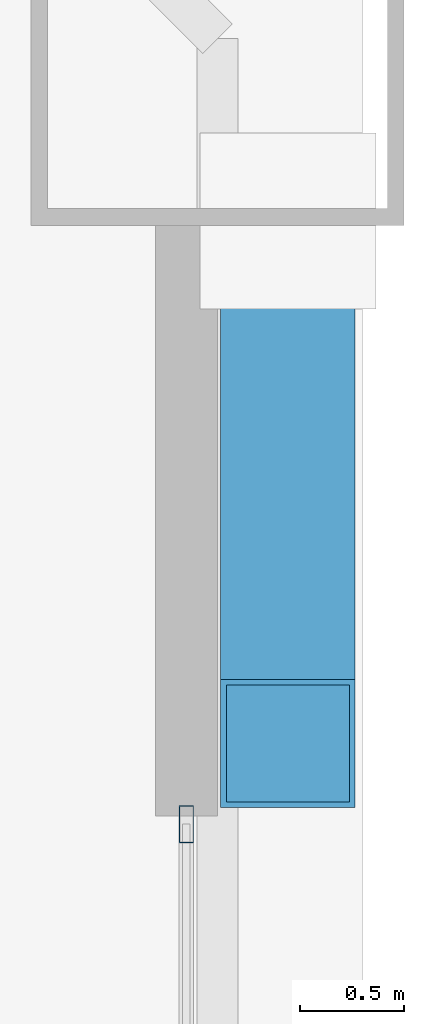
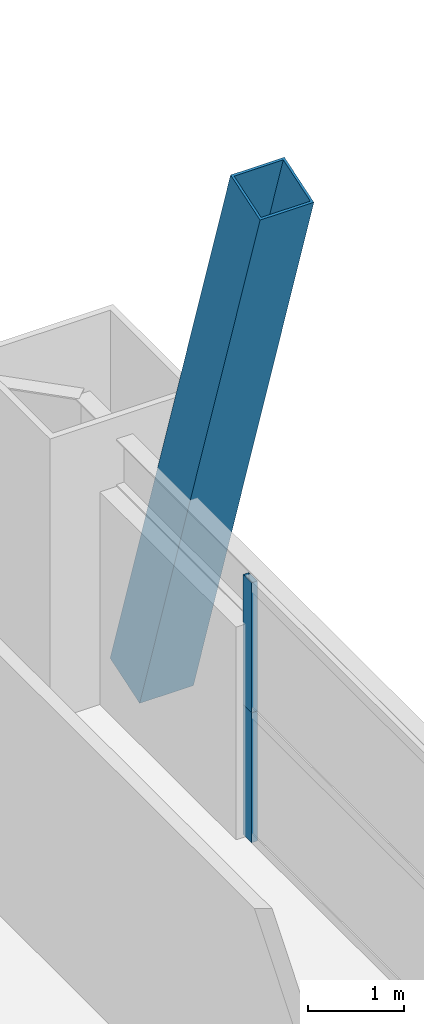
# One storey, part 34 of 43: 3 members, 1 element without a shape of its own.
"""IFC4 building model written with IfcOpenShell, lengths in metres."""

from ifc_helpers import new_model, si_unit, direction, frame, origin, origin_2d, place, context, subcontext, project, spatial, hollow_rectangle, extrude, source, transform, mapped, material, layer, layer_set, material_profile, profile_set, type_object, element, aggregate, save


model = new_model("IFC4")

# Units and contexts
model_context = context("Model", 3, precision=1e-05, world=origin(), true_north=direction((0.0, 1.0)))
body_context = subcontext(model_context, "Body", "Model", "MODEL_VIEW")
ifc_project = project(units=[si_unit("LENGTHUNIT", "METRE"), si_unit("AREAUNIT", "SQUARE_METRE"), si_unit("VOLUMEUNIT", "CUBIC_METRE"), si_unit("PLANEANGLEUNIT", "RADIAN"), si_unit("MASSUNIT", "GRAM", prefix="KILO"), si_unit("THERMODYNAMICTEMPERATUREUNIT", "KELVIN"), si_unit("POWERUNIT", "WATT")], contexts=[model_context])

# Site, building, storey
site_placement = place(None, origin())
site = spatial("IfcSite", under=ifc_project, at=site_placement, CompositionType="ELEMENT")
building_placement = place(site_placement, origin())
building = spatial("IfcBuilding", under=site, at=building_placement, Name="Yuzanri Waterfront Tower", CompositionType="ELEMENT")
storey_placement = place(building_placement, frame((0.0, 0.0, 37.800048828125)))
storey = spatial("IfcBuildingStorey", under=building, at=storey_placement, Name="L09", CompositionType="ELEMENT", Elevation=37.800048828125)

# Member
ifc_material_1 = material(Name="Steel Q420GJC", Category="steel")
ifc_material_profile_1 = material_profile(ifc_material_1, hollow_rectangle(XDim=0.64990234375, YDim=0.64990234375, WallThickness=0.028076171875, at=origin_2d()), Name="RHS 650x650x28")
ifc_profile_set_1 = profile_set([ifc_material_profile_1], Name="Steel Q420GJC")
member_type_1 = type_object("IfcMemberType", Name="Mega Brace Lower Q420GJC RHS 650x650x28", PredefinedType="BRACE", material=ifc_profile_set_1)
shared_shape_1 = source(origin(), body_context, "Body", "SweptSolid", [
    extrude(hollow_rectangle(XDim=0.64990234375, YDim=0.64990234375, WallThickness=0.028076171875, at=origin_2d()), origin(), (0.0, 0.0, 1.0), 8.101806640625),
])
member_1_placement = place(storey_placement, frame((62.43994140625, 46.419921875, 0.179931640625), z_axis=(0.0, -0.311043019491, 0.950395833338), x_axis=(1.0, 0.0, 0.0)))
element("IfcMember", 1, at=member_1_placement, inside=storey, type_object=member_type_1, Name="L09-L10 Perimeter Mega-Brace E-R", PredefinedType="BRACE", context=body_context, shape_type="MappedRepresentation", body=[
    mapped(shared_shape_1, transform((0.0, 0.0, 0.0), scale=1.0)),
])

# Curtain wall, members
ifc_material_2 = material(Name="Anodized Architectural Bronze", Category="metal")
ifc_layer = layer(ifc_material_2, 0.159912109375)
ifc_layer_set = layer_set([ifc_layer], Name="Anodized Architectural Bronze")
curtain_wall_type = type_object("IfcCurtainWallType", Name="Anodized Bronze Hotel Lower-Tier Recessed Unitized Curtain Wall 8100", PredefinedType="NOTDEFINED", material=ifc_layer_set)
curtain_wall_placement = place(storey_placement, origin())
curtain_wall = element("IfcCurtainWall", 2, at=curtain_wall_placement, inside=storey, type_object=curtain_wall_type, Name="L09 Curtain Wall CW-L09-ER", PredefinedType="NOTDEFINED")
ifc_material_3 = material(Name="Anodized Architectural Bronze", Category="metal")
ifc_material_profile_2 = material_profile(ifc_material_3, hollow_rectangle(XDim=0.070068359375, YDim=0.179931640625, WallThickness=0.00390625, at=origin_2d()), Name="CWM 70x180")
ifc_profile_set_2 = profile_set([ifc_material_profile_2], Name="Anodized Architectural Bronze")
member_type_2 = type_object("IfcMemberType", Name="Anodized Bronze Standard Curtain-Wall Mullion 70x180", PredefinedType="MULLION", material=ifc_profile_set_2)
shared_shape_2 = source(origin(), body_context, "Body", "SweptSolid", [
    extrude(hollow_rectangle(XDim=0.070068359375, YDim=0.179931640625, WallThickness=0.00390625, at=origin_2d()), origin(), (0.0, 0.0, 1.0), 1.657958984375),
])
member_2_placement = place(storey_placement, frame((61.949951171875, 43.510009765625, 0.0), z_axis=(0.0, 0.0, 1.0), x_axis=(1.0, 0.0, 0.0)))
member_2 = element("IfcMember", 3, at=member_2_placement, type_object=member_type_2, Name="CW-L09-ER Lower Mullion 02", PredefinedType="MULLION", context=body_context, shape_type="MappedRepresentation", body=[
    mapped(shared_shape_2, transform((0.0, 0.0, 0.0), scale=1.0)),
])
shared_shape_3 = source(origin(), body_context, "Body", "SweptSolid", [
    extrude(hollow_rectangle(XDim=0.070068359375, YDim=0.179931640625, WallThickness=0.00390625, at=origin_2d()), origin(), (0.0, 0.0, 1.0), 1.658203125),
])
member_3_placement = place(storey_placement, frame((61.949951171875, 43.510009765625, 1.661865234375), z_axis=(0.0, 0.0, 1.0), x_axis=(1.0, 0.0, 0.0)))
member_3 = element("IfcMember", 4, at=member_3_placement, type_object=member_type_2, Name="CW-L09-ER Upper Mullion 02", PredefinedType="MULLION", context=body_context, shape_type="MappedRepresentation", body=[
    mapped(shared_shape_3, transform((0.0, 0.0, 0.0), scale=1.0)),
])
aggregate(curtain_wall, [member_2, member_3])

save(model, "model.ifc")
